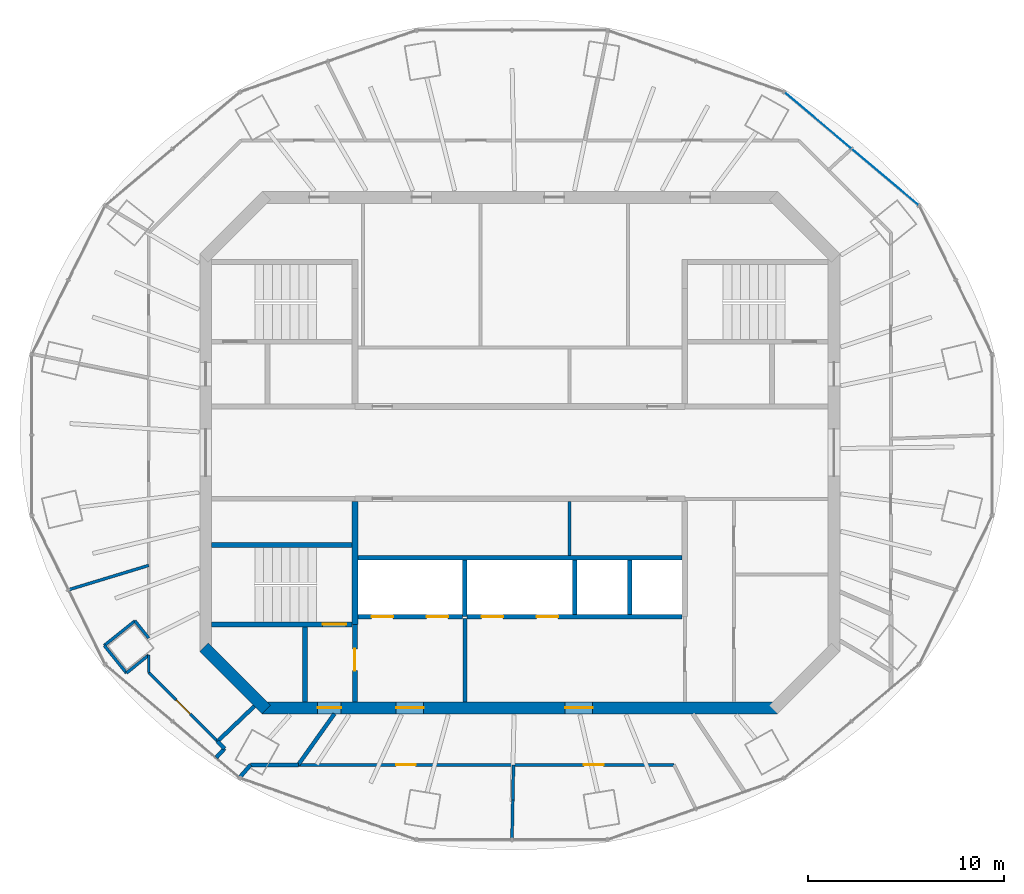
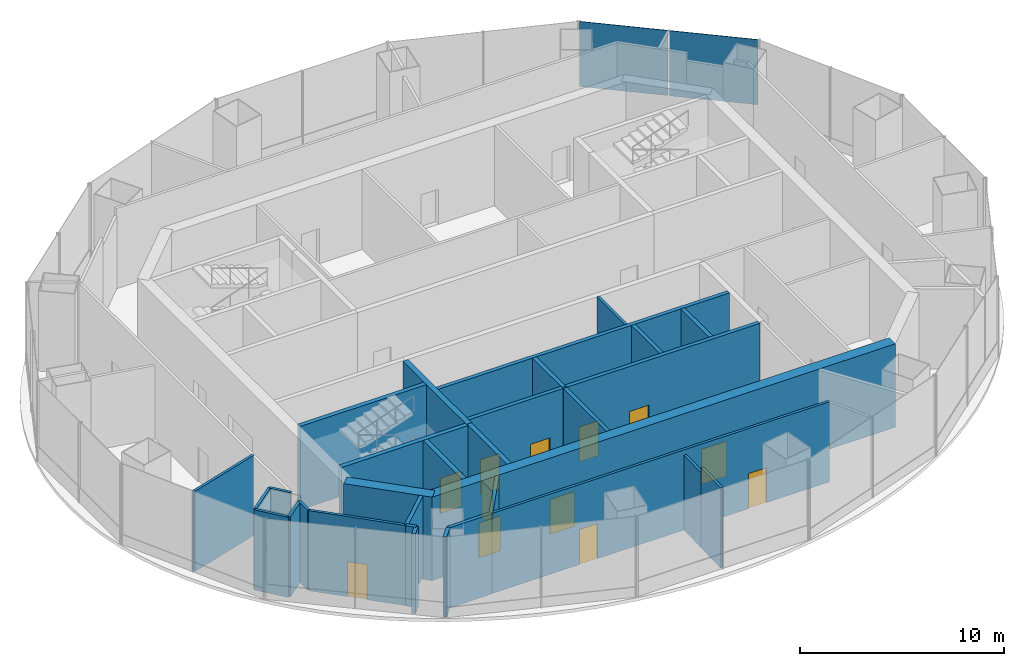
# One storey, part 8 of 12: 31 walls, 12 doors, 2 plates, 12 openings, 1 element without a shape of its own.
"""IFC4 building model written with IfcOpenShell, lengths in metres."""

from ifc_helpers import new_model, si_unit, direction, frame, frame_2d, origin, origin_2d, place, context, subcontext, project, spatial, rectangle, extrude, material, layer, layer_set, type_object, element, fill, aggregate, save


model = new_model("IFC4")

# Units and contexts
model_context = context("Model", 3, precision=1e-05, world=origin(), true_north=direction((0.0, 1.0)))
body_context = subcontext(model_context, "Body", "Model", "MODEL_VIEW")
ifc_project = project(units=[si_unit("LENGTHUNIT", "METRE"), si_unit("AREAUNIT", "SQUARE_METRE"), si_unit("VOLUMEUNIT", "CUBIC_METRE"), si_unit("PLANEANGLEUNIT", "RADIAN"), si_unit("MASSUNIT", "GRAM", prefix="KILO")], contexts=[model_context])

# Site, building, storey
site_placement = place(None, origin())
site = spatial("IfcSite", under=ifc_project, at=site_placement, CompositionType="ELEMENT")
building_placement = place(site_placement, origin())
building = spatial("IfcBuilding", under=site, at=building_placement, Name="Marenthal Gate Tower", CompositionType="ELEMENT")
storey_placement = place(building_placement, frame((0.0, 0.0, 413.550048828125)))
storey = spatial("IfcBuildingStorey", under=building, at=storey_placement, Name="L93", CompositionType="ELEMENT", Elevation=413.550048828125)

# Curtain wall, plates
ifc_material_1 = material(Name="Aluminium and glass", Category="aluminium")
curtain_wall_type = type_object("IfcCurtainWallType", Name="Curtain wall typical high", PredefinedType="NOTDEFINED", material=ifc_material_1)
curtain_wall_placement = place(storey_placement, origin())
curtain_wall = element("IfcCurtainWall", 1, at=curtain_wall_placement, inside=storey, type_object=curtain_wall_type, Name="Curtain wall L93 bay 2", PredefinedType="NOTDEFINED")
ifc_material_2 = material(Name="Glass, laminated insulating unit", Category="glass")
ifc_layer_1 = layer(ifc_material_2, 0.031982421875)
ifc_layer_set_1 = layer_set([ifc_layer_1], Name="Glass panel 32 typical high")
plate_type = type_object("IfcPlateType", Name="Glass panel 32 typical high", PredefinedType="CURTAIN_PANEL", material=ifc_layer_set_1)
plate_1_placement = place(storey_placement, frame((18.603515625, 14.034423828125, 0.89990234375), z_axis=(0.0, 0.0, 1.0), x_axis=(-0.764693267919, 0.644394449075, 0.0)))
plate_1 = element("IfcPlate", 2, at=plate_1_placement, type_object=plate_type, Name="Glass panel L93 bay 2.1", PredefinedType="CURTAIN_PANEL", context=body_context, shape_type="SweptSolid", body=[
    extrude(rectangle(XDim=4.40869140625, YDim=0.031982421875, at=origin_2d()), origin(), (0.0, 0.0, 1.0), 3.89990234375),
])
plate_2_placement = place(storey_placement, frame((15.186279296875, 16.9140625, 0.89990234375), z_axis=(0.0, 0.0, 1.0), x_axis=(-0.764693267919, 0.644394449075, 0.0)))
plate_2 = element("IfcPlate", 3, at=plate_2_placement, type_object=plate_type, Name="Glass panel L93 bay 2.2", PredefinedType="CURTAIN_PANEL", context=body_context, shape_type="SweptSolid", body=[
    extrude(rectangle(XDim=4.40869140625, YDim=0.031982421875, at=origin_2d()), origin(), (0.0, 0.0, 1.0), 3.89990234375),
])
aggregate(curtain_wall, [plate_1, plate_2])

# Wall
ifc_material_3 = material(Name="Concrete 60 MPa", Category="concrete")
ifc_layer_2 = layer(ifc_material_3, 0.60009765625)
ifc_layer_set_2 = layer_set([ifc_layer_2], Name="Core shear wall 600")
wall_type_1 = type_object("IfcWallType", Name="Core shear wall 600", PredefinedType="SHEAR", material=ifc_layer_set_2)
wall_1_placement = place(storey_placement, frame((-16.087890625, -9.912109375, -0.199951171875), z_axis=(0.0, 0.0, 1.0), x_axis=(0.707106781187, -0.707106781187, 0.0)))
element("IfcWall", 4, at=wall_1_placement, inside=storey, type_object=wall_type_1, Name="Core wall 07", PredefinedType="SHEAR", context=body_context, shape_type="SweptSolid", body=[
    extrude(rectangle(XDim=4.4912109375, YDim=0.60009765625, at=frame_2d((2.24560546875, 0.0))), origin(), (0.0, 0.0, 1.0), 5.0),
])

# Wall, openings, doors
wall_2_placement = place(storey_placement, frame((-13.124267578125, -13.0, -0.199951171875), z_axis=(0.0, 0.0, 1.0), x_axis=(1.0, 0.0, 0.0)))
wall_2 = element("IfcWall", 5, at=wall_2_placement, inside=storey, type_object=wall_type_1, Name="Core wall 08", PredefinedType="SHEAR", context=body_context, shape_type="SweptSolid", body=[
    extrude(rectangle(XDim=26.24853515625, YDim=0.60009765625, at=frame_2d((13.124267578125, 0.0))), origin(), (0.0, 0.0, 1.0), 5.0),
])
opening_1_placement = place(wall_2_placement, frame((2.82421875, 0.0, 0.199951171875)))
opening_1 = element("IfcOpeningElement", 6, at=opening_1_placement, cuts=wall_2, Name="Opening D001.06", PredefinedType="OPENING", context=body_context, shape_type="SweptSolid", body=[
    extrude(rectangle(XDim=1.199951171875, YDim=2.10009765625, at=frame_2d((0.60009765625, 1.050048828125))), frame((0.0, 0.31005859375, 0.0), z_axis=(0.0, -1.0, 0.0), x_axis=(1.0, 0.0, 0.0)), (0.0, 0.0, 1.0), 0.6201171875),
])
opening_2_placement = place(wall_2_placement, frame((6.82421875, 0.0, 0.199951171875)))
opening_2 = element("IfcOpeningElement", 7, at=opening_2_placement, cuts=wall_2, Name="Opening D004.01", PredefinedType="OPENING", context=body_context, shape_type="SweptSolid", body=[
    extrude(rectangle(XDim=1.39990234375, YDim=2.10009765625, at=frame_2d((0.699951171875, 1.050048828125))), frame((0.0, 0.31005859375, 0.0), z_axis=(0.0, -1.0, 0.0), x_axis=(1.0, 0.0, 0.0)), (0.0, 0.0, 1.0), 0.6201171875),
])
opening_3_placement = place(wall_2_placement, frame((15.42431640625, 0.0, 0.199951171875)))
opening_3 = element("IfcOpeningElement", 8, at=opening_3_placement, cuts=wall_2, Name="Opening D004.02", PredefinedType="OPENING", context=body_context, shape_type="SweptSolid", body=[
    extrude(rectangle(XDim=1.39990234375, YDim=2.10009765625, at=frame_2d((0.699951171875, 1.050048828125))), frame((0.0, 0.31005859375, 0.0), z_axis=(0.0, -1.0, 0.0), x_axis=(1.0, 0.0, 0.0)), (0.0, 0.0, 1.0), 0.6201171875),
])
ifc_material_4 = material(Name="Steel fire door", Category="steel")
door_type_1 = type_object("IfcDoorType", Name="Fire door FD 45 1400 x 2100", OperationType="NOTDEFINED", PredefinedType="DOOR", material=ifc_material_4)
door_1_placement = place(opening_2_placement, origin())
door_1 = element("IfcDoor", 9, at=door_1_placement, inside=storey, type_object=door_type_1, Name="Door D004.01", OperationType="SINGLE_SWING_RIGHT", OverallHeight=2.10009765625, OverallWidth=1.39990234375, PredefinedType="DOOR", context=body_context, shape_type="SweptSolid", body=[
    extrude(rectangle(XDim=1.39990234375, YDim=2.10009765625, at=frame_2d((0.699951171875, 1.050048828125))), frame((0.0, 0.02490234375, 0.0), z_axis=(0.0, -1.0, 0.0), x_axis=(1.0, 0.0, 0.0)), (0.0, 0.0, 1.0), 0.050048828125),
])
fill(opening_2, door_1)
door_2_placement = place(opening_3_placement, origin())
door_2 = element("IfcDoor", 10, at=door_2_placement, inside=storey, type_object=door_type_1, Name="Door D004.02", OperationType="SINGLE_SWING_RIGHT", OverallHeight=2.10009765625, OverallWidth=1.39990234375, PredefinedType="DOOR", context=body_context, shape_type="SweptSolid", body=[
    extrude(rectangle(XDim=1.39990234375, YDim=2.10009765625, at=frame_2d((0.699951171875, 1.050048828125))), frame((0.0, 0.02490234375, 0.0), z_axis=(0.0, -1.0, 0.0), x_axis=(1.0, 0.0, 0.0)), (0.0, 0.0, 1.0), 0.050048828125),
])
fill(opening_3, door_2)
ifc_material_5 = material(Name="Steel fire door", Category="steel")
door_type_2 = type_object("IfcDoorType", Name="Fire door FD 90 1200 x 2100", OperationType="NOTDEFINED", PredefinedType="DOOR", material=ifc_material_5)
door_3_placement = place(opening_1_placement, frame((1.199951171875, 0.0, 0.0), z_axis=(0.0, 0.0, 1.0), x_axis=(-1.0, 0.0, 0.0)))
door_3 = element("IfcDoor", 11, at=door_3_placement, inside=storey, type_object=door_type_2, Name="Door D001.06", OperationType="SINGLE_SWING_LEFT", OverallHeight=2.10009765625, OverallWidth=1.199951171875, PredefinedType="DOOR", context=body_context, shape_type="SweptSolid", body=[
    extrude(rectangle(XDim=1.199951171875, YDim=2.10009765625, at=frame_2d((0.60009765625, 1.050048828125))), frame((0.0, 0.02490234375, 0.0), z_axis=(0.0, -1.0, 0.0), x_axis=(1.0, 0.0, 0.0)), (0.0, 0.0, 1.0), 0.050048828125),
])
fill(opening_1, door_3)

# Walls
ifc_material_6 = material(Name="Gypsum board on steel studs", Category="steel")
ifc_layer_3 = layer(ifc_material_6, 0.199951171875)
ifc_layer_set_3 = layer_set([ifc_layer_3], Name="Fire lobby wall 200")
wall_type_2 = type_object("IfcWallType", Name="Fire lobby wall 200", PredefinedType="PARTITIONING", material=ifc_layer_set_3)
wall_3_placement = place(storey_placement, frame((-2.800048828125, -12.699951171875, 0.0), z_axis=(0.0, 0.0, 1.0), x_axis=(0.0, 1.0, 0.0)))
element("IfcWall", 12, at=wall_3_placement, inside=storey, type_object=wall_type_2, Name="Fire wall 33", PredefinedType="PARTITIONING", context=body_context, shape_type="SweptSolid", body=[
    extrude(rectangle(XDim=4.239990234375, YDim=0.199951171875, at=frame_2d((2.1201171875, 0.0))), origin(), (0.0, 0.0, 1.0), 4.800048828125),
])
ifc_material_7 = material(Name="Concrete 50 MPa", Category="concrete")
ifc_layer_4 = layer(ifc_material_7, 0.300048828125)
ifc_layer_set_4 = layer_set([ifc_layer_4], Name="Hoistway shear wall 300")
wall_type_3 = type_object("IfcWallType", Name="Hoistway shear wall 300", PredefinedType="SHEAR", material=ifc_layer_set_4)
wall_4_placement = place(storey_placement, frame((-8.39990234375, -8.75, -0.199951171875), z_axis=(0.0, 0.0, 1.0), x_axis=(0.0, 1.0, 0.0)))
element("IfcWall", 13, at=wall_4_placement, inside=storey, type_object=wall_type_3, Name="Hoistway wall 29", PredefinedType="SHEAR", context=body_context, shape_type="SweptSolid", body=[
    extrude(rectangle(XDim=6.25, YDim=0.300048828125, at=frame_2d((3.125, 0.0))), origin(), (0.0, 0.0, 1.0), 5.0),
])

# Wall, openings, doors
ifc_material_8 = material(Name="Concrete 40 MPa", Category="concrete")
ifc_layer_5 = layer(ifc_material_8, 0.219970703125)
ifc_layer_set_5 = layer_set([ifc_layer_5], Name="Hoistway wall 220")
wall_type_4 = type_object("IfcWallType", Name="Hoistway wall 220", PredefinedType="STANDARD", material=ifc_layer_set_5)
wall_5_placement = place(storey_placement, frame((-8.25, -8.35009765625, 0.0), z_axis=(0.0, 0.0, 1.0), x_axis=(1.0, 0.0, 0.0)))
wall_5 = element("IfcWall", 14, at=wall_5_placement, inside=storey, type_object=wall_type_4, Name="Hoistway wall 10", PredefinedType="STANDARD", context=body_context, shape_type="SweptSolid", body=[
    extrude(rectangle(XDim=5.340087890625, YDim=0.219970703125, at=frame_2d((2.669921875, 0.0))), origin(), (0.0, 0.0, 1.0), 4.800048828125),
])
opening_4_placement = place(wall_5_placement, frame((0.699951171875, 0.0, 0.0)))
opening_4 = element("IfcOpeningElement", 15, at=opening_4_placement, cuts=wall_5, Name="Opening LD-LF1", PredefinedType="OPENING", context=body_context, shape_type="SweptSolid", body=[
    extrude(rectangle(XDim=1.10009765625, YDim=2.10009765625, at=frame_2d((0.550048828125, 1.050048828125))), frame((0.0, 0.1201171875, 0.0), z_axis=(0.0, -1.0, 0.0), x_axis=(1.0, 0.0, 0.0)), (0.0, 0.0, 1.0), 0.239990234375),
])
opening_5_placement = place(wall_5_placement, frame((3.5, 0.0, 0.0)))
opening_5 = element("IfcOpeningElement", 16, at=opening_5_placement, cuts=wall_5, Name="Opening LD-LF2", PredefinedType="OPENING", context=body_context, shape_type="SweptSolid", body=[
    extrude(rectangle(XDim=1.10009765625, YDim=2.10009765625, at=frame_2d((0.550048828125, 1.050048828125))), frame((0.0, 0.1201171875, 0.0), z_axis=(0.0, -1.0, 0.0), x_axis=(1.0, 0.0, 0.0)), (0.0, 0.0, 1.0), 0.239990234375),
])
ifc_material_9 = material(Name="Stainless steel sliding door", Category="steel")
door_type_3 = type_object("IfcDoorType", Name="Lift landing door FD 90 1100 x 2100", OperationType="DOUBLE_DOOR_SLIDING", PredefinedType="DOOR", material=ifc_material_9)
door_4_placement = place(opening_4_placement, origin())
door_4 = element("IfcDoor", 17, at=door_4_placement, inside=storey, type_object=door_type_3, Name="Lift landing door LF1", OperationType="DOUBLE_DOOR_SLIDING", OverallHeight=2.10009765625, OverallWidth=1.10009765625, PredefinedType="DOOR", context=body_context, shape_type="SweptSolid", body=[
    extrude(rectangle(XDim=1.10009765625, YDim=2.10009765625, at=frame_2d((0.550048828125, 1.050048828125))), frame((0.0, 0.02490234375, 0.0), z_axis=(0.0, -1.0, 0.0), x_axis=(1.0, 0.0, 0.0)), (0.0, 0.0, 1.0), 0.050048828125),
])
fill(opening_4, door_4)
door_5_placement = place(opening_5_placement, origin())
door_5 = element("IfcDoor", 18, at=door_5_placement, inside=storey, type_object=door_type_3, Name="Lift landing door LF2", OperationType="DOUBLE_DOOR_SLIDING", OverallHeight=2.10009765625, OverallWidth=1.10009765625, PredefinedType="DOOR", context=body_context, shape_type="SweptSolid", body=[
    extrude(rectangle(XDim=1.10009765625, YDim=2.10009765625, at=frame_2d((0.550048828125, 1.050048828125))), frame((0.0, 0.02490234375, 0.0), z_axis=(0.0, -1.0, 0.0), x_axis=(1.0, 0.0, 0.0)), (0.0, 0.0, 1.0), 0.050048828125),
])
fill(opening_5, door_5)

wall_6_placement = place(storey_placement, frame((-2.68994140625, -8.35009765625, 0.0), z_axis=(0.0, 0.0, 1.0), x_axis=(1.0, 0.0, 0.0)))
wall_6 = element("IfcWall", 19, at=wall_6_placement, inside=storey, type_object=wall_type_4, Name="Hoistway wall 11", PredefinedType="STANDARD", context=body_context, shape_type="SweptSolid", body=[
    extrude(rectangle(XDim=10.93994140625, YDim=0.219970703125, at=frame_2d((5.469970703125, 0.0))), origin(), (0.0, 0.0, 1.0), 4.800048828125),
])
opening_6_placement = place(wall_6_placement, frame((0.739990234375, 0.0, 0.0)))
opening_6 = element("IfcOpeningElement", 20, at=opening_6_placement, cuts=wall_6, Name="Opening LD-SV1", PredefinedType="OPENING", context=body_context, shape_type="SweptSolid", body=[
    extrude(rectangle(XDim=1.10009765625, YDim=2.10009765625, at=frame_2d((0.550048828125, 1.050048828125))), frame((0.0, 0.1201171875, 0.0), z_axis=(0.0, -1.0, 0.0), x_axis=(1.0, 0.0, 0.0)), (0.0, 0.0, 1.0), 0.239990234375),
])
opening_7_placement = place(wall_6_placement, frame((3.5400390625, 0.0, 0.0)))
opening_7 = element("IfcOpeningElement", 21, at=opening_7_placement, cuts=wall_6, Name="Opening LD-SV2", PredefinedType="OPENING", context=body_context, shape_type="SweptSolid", body=[
    extrude(rectangle(XDim=1.10009765625, YDim=2.10009765625, at=frame_2d((0.550048828125, 1.050048828125))), frame((0.0, 0.1201171875, 0.0), z_axis=(0.0, -1.0, 0.0), x_axis=(1.0, 0.0, 0.0)), (0.0, 0.0, 1.0), 0.239990234375),
])
door_6_placement = place(opening_6_placement, origin())
door_6 = element("IfcDoor", 22, at=door_6_placement, inside=storey, type_object=door_type_3, Name="Lift landing door SV1", OperationType="DOUBLE_DOOR_SLIDING", OverallHeight=2.10009765625, OverallWidth=1.10009765625, PredefinedType="DOOR", context=body_context, shape_type="SweptSolid", body=[
    extrude(rectangle(XDim=1.10009765625, YDim=2.10009765625, at=frame_2d((0.550048828125, 1.050048828125))), frame((0.0, 0.02490234375, 0.0), z_axis=(0.0, -1.0, 0.0), x_axis=(1.0, 0.0, 0.0)), (0.0, 0.0, 1.0), 0.050048828125),
])
fill(opening_6, door_6)
door_7_placement = place(opening_7_placement, origin())
door_7 = element("IfcDoor", 23, at=door_7_placement, inside=storey, type_object=door_type_3, Name="Lift landing door SV2", OperationType="DOUBLE_DOOR_SLIDING", OverallHeight=2.10009765625, OverallWidth=1.10009765625, PredefinedType="DOOR", context=body_context, shape_type="SweptSolid", body=[
    extrude(rectangle(XDim=1.10009765625, YDim=2.10009765625, at=frame_2d((0.550048828125, 1.050048828125))), frame((0.0, 0.02490234375, 0.0), z_axis=(0.0, -1.0, 0.0), x_axis=(1.0, 0.0, 0.0)), (0.0, 0.0, 1.0), 0.050048828125),
])
fill(opening_7, door_7)

# Walls
wall_7_placement = place(storey_placement, frame((-8.25, -5.35009765625, 0.0), z_axis=(0.0, 0.0, 1.0), x_axis=(1.0, 0.0, 0.0)))
element("IfcWall", 24, at=wall_7_placement, inside=storey, type_object=wall_type_4, Name="Hoistway wall 13", PredefinedType="STANDARD", context=body_context, shape_type="SweptSolid", body=[
    extrude(rectangle(XDim=16.5, YDim=0.219970703125, at=frame_2d((8.25, 0.0))), origin(), (0.0, 0.0, 1.0), 4.800048828125),
])
wall_8_placement = place(storey_placement, frame((-2.800048828125, -8.35009765625, 0.0), z_axis=(0.0, 0.0, 1.0), x_axis=(0.0, 1.0, 0.0)))
element("IfcWall", 25, at=wall_8_placement, inside=storey, type_object=wall_type_4, Name="Hoistway wall 34", PredefinedType="STANDARD", context=body_context, shape_type="SweptSolid", body=[
    extrude(rectangle(XDim=2.89013671875, YDim=0.219970703125, at=frame_2d((1.445068359375, 0.0))), origin(), (0.0, 0.0, 1.0), 4.800048828125),
])
for number, where, z_axis, x_axis, name in (
    (26, (2.800048828125, -8.239990234375, 0.0), (0.0, 0.0, 1.0), (0.0, 1.0, 0.0), "Hoistway wall 38"),
    (27, (5.60009765625, -8.239990234375, 0.0), (0.0, 0.0, 1.0), (0.0, 1.0, 0.0), "Hoistway wall 40"),
):
    element("IfcWall", number, at=place(storey_placement, frame(where, z_axis=z_axis, x_axis=x_axis)), inside=storey, type_object=wall_type_4, Name=name, PredefinedType="STANDARD", context=body_context, shape_type="SweptSolid", body=[
        extrude(rectangle(XDim=2.780029296875, YDim=0.219970703125, at=frame_2d((1.39013671875, 0.0))), origin(), (0.0, 0.0, 1.0), 4.800048828125),
    ])
ifc_material_10 = material(Name="Gypsum board on steel studs", Category="steel")
ifc_layer_6 = layer(ifc_material_10, 0.14990234375)
ifc_layer_set_6 = layer_set([ifc_layer_6], Name="Partition 150")
wall_type_5 = type_object("IfcWallType", Name="Partition 150", PredefinedType="PARTITIONING", material=ifc_layer_set_6)
wall_9_placement = place(storey_placement, frame((2.52001953125, -5.239990234375, 0.0), z_axis=(0.0, 0.0, 1.0), x_axis=(0.0, 1.0, 0.0)))
element("IfcWall", 28, at=wall_9_placement, inside=storey, type_object=wall_type_5, Name="Partition wall 36", PredefinedType="PARTITIONING", context=body_context, shape_type="SweptSolid", body=[
    extrude(rectangle(XDim=2.739990234375, YDim=0.14990234375, at=frame_2d((1.3701171875, 0.0))), origin(), (0.0, 0.0, 1.0), 4.800048828125),
])

# Wall, openings, doors
wall_10_placement = place(storey_placement, frame((-11.2880859375, -15.89990234375, 0.0), z_axis=(0.0, 0.0, 1.0), x_axis=(1.0, 0.0, 0.0)))
wall_10 = element("IfcWall", 29, at=wall_10_placement, inside=storey, type_object=wall_type_5, Name="Partition wall 47", PredefinedType="PARTITIONING", context=body_context, shape_type="SweptSolid", body=[
    extrude(rectangle(XDim=19.140625, YDim=0.14990234375, at=frame_2d((9.5703125, 0.0))), origin(), (0.0, 0.0, 1.0), 4.800048828125),
])
opening_8_placement = place(wall_10_placement, frame((4.980224609375, 0.0, 0.0)))
opening_8 = element("IfcOpeningElement", 30, at=opening_8_placement, cuts=wall_10, Name="Opening D005.18", PredefinedType="OPENING", context=body_context, shape_type="SweptSolid", body=[
    extrude(rectangle(XDim=1.0, YDim=2.10009765625, at=frame_2d((0.5, 1.050048828125))), frame((0.0, 0.0849609375, 0.0), z_axis=(0.0, -1.0, 0.0), x_axis=(1.0, 0.0, 0.0)), (0.0, 0.0, 1.0), 0.169921875),
])
opening_9_placement = place(wall_10_placement, frame((14.552978515625, 0.0, 0.0)))
opening_9 = element("IfcOpeningElement", 31, at=opening_9_placement, cuts=wall_10, Name="Opening D005.19", PredefinedType="OPENING", context=body_context, shape_type="SweptSolid", body=[
    extrude(rectangle(XDim=1.0, YDim=2.10009765625, at=frame_2d((0.5, 1.050048828125))), frame((0.0, 0.0849609375, 0.0), z_axis=(0.0, -1.0, 0.0), x_axis=(1.0, 0.0, 0.0)), (0.0, 0.0, 1.0), 0.169921875),
])
ifc_material_11 = material(Name="Steel fire door", Category="steel")
door_type_4 = type_object("IfcDoorType", Name="Fire door FD 45 1000 x 2100", OperationType="NOTDEFINED", PredefinedType="DOOR", material=ifc_material_11)
door_8_placement = place(opening_8_placement, frame((1.0, 0.0, 0.0), z_axis=(0.0, 0.0, 1.0), x_axis=(-1.0, 0.0, 0.0)))
door_8 = element("IfcDoor", 32, at=door_8_placement, inside=storey, type_object=door_type_4, Name="Door D005.18", OperationType="SINGLE_SWING_LEFT", OverallHeight=2.10009765625, OverallWidth=1.0, PredefinedType="DOOR", context=body_context, shape_type="SweptSolid", body=[
    extrude(rectangle(XDim=1.0, YDim=2.10009765625, at=frame_2d((0.5, 1.050048828125))), frame((0.0, 0.02490234375, 0.0), z_axis=(0.0, -1.0, 0.0), x_axis=(1.0, 0.0, 0.0)), (0.0, 0.0, 1.0), 0.050048828125),
])
fill(opening_8, door_8)
door_9_placement = place(opening_9_placement, frame((1.0, 0.0, 0.0), z_axis=(0.0, 0.0, 1.0), x_axis=(-1.0, 0.0, 0.0)))
door_9 = element("IfcDoor", 33, at=door_9_placement, inside=storey, type_object=door_type_4, Name="Door D005.19", OperationType="SINGLE_SWING_LEFT", OverallHeight=2.10009765625, OverallWidth=1.0, PredefinedType="DOOR", context=body_context, shape_type="SweptSolid", body=[
    extrude(rectangle(XDim=1.0, YDim=2.10009765625, at=frame_2d((0.5, 1.050048828125))), frame((0.0, 0.02490234375, 0.0), z_axis=(0.0, -1.0, 0.0), x_axis=(1.0, 0.0, 0.0)), (0.0, 0.0, 1.0), 0.050048828125),
])
fill(opening_9, door_9)

# Walls
wall_11_placement = place(storey_placement, frame((-22.9775390625, -6.981689453125, 0.0), z_axis=(0.0, 0.0, 1.0), x_axis=(0.956804908842, 0.290730745562, 0.0)))
element("IfcWall", 34, at=wall_11_placement, inside=storey, type_object=wall_type_5, Name="Partition wall 50", PredefinedType="PARTITIONING", context=body_context, shape_type="SweptSolid", body=[
    extrude(rectangle(XDim=4.26171875, YDim=0.14990234375, at=frame_2d((2.130859375, 0.0))), origin(), (0.0, 0.0, 1.0), 4.800048828125),
])
wall_12_placement = place(storey_placement, frame((-20.03759765625, -11.225341796875, 0.0), z_axis=(0.0, 0.0, 1.0), x_axis=(0.779724809941, 0.626122368841, 0.0)))
element("IfcWall", 35, at=wall_12_placement, inside=storey, type_object=wall_type_5, Name="Partition wall 51", PredefinedType="PARTITIONING", context=body_context, shape_type="SweptSolid", body=[
    extrude(rectangle(XDim=1.458984375, YDim=0.14990234375, at=frame_2d((0.7294921875, 0.0))), origin(), (0.0, 0.0, 1.0), 4.800048828125),
])
wall_13_placement = place(storey_placement, frame((-21.164794921875, -9.822021484375, 0.0), z_axis=(0.0, 0.0, 1.0), x_axis=(0.779700462406, 0.626152688187, 0.0)))
element("IfcWall", 36, at=wall_13_placement, inside=storey, type_object=wall_type_5, Name="Partition wall 52", PredefinedType="PARTITIONING", context=body_context, shape_type="SweptSolid", body=[
    extrude(rectangle(XDim=2.000244140625, YDim=0.14990234375, at=frame_2d((1.0, 0.0))), origin(), (0.0, 0.0, 1.0), 4.800048828125),
])
wall_14_placement = place(storey_placement, frame((-0.399658203125, -19.691162109375, 0.0), z_axis=(0.0, 0.0, 1.0), x_axis=(0.020323991195, 0.999793446359, 0.0)))
element("IfcWall", 37, at=wall_14_placement, inside=storey, type_object=wall_type_5, Name="Partition wall 56", PredefinedType="PARTITIONING", context=body_context, shape_type="SweptSolid", body=[
    extrude(rectangle(XDim=1.994140625, YDim=0.14990234375, at=frame_2d((0.9970703125, 0.0))), origin(), (0.0, 0.0, 1.0), 4.800048828125),
])
wall_15_placement = place(storey_placement, frame((-0.359130859375, -17.697509765625, 0.0), z_axis=(0.0, 0.0, 1.0), x_axis=(0.020232174519, 0.999795308608, 0.0)))
element("IfcWall", 38, at=wall_15_placement, inside=storey, type_object=wall_type_5, Name="Partition wall 81", PredefinedType="PARTITIONING", context=body_context, shape_type="SweptSolid", body=[
    extrude(rectangle(XDim=1.798095703125, YDim=0.14990234375, at=frame_2d((0.89892578125, 0.0))), origin(), (0.0, 0.0, 1.0), 4.489990234375),
])
wall_16_placement = place(storey_placement, frame((-18.89990234375, -11.201416015625, 0.0), z_axis=(0.0, 0.0, 1.0), x_axis=(0.0, 1.0, 0.0)))
element("IfcWall", 39, at=wall_16_placement, inside=storey, type_object=wall_type_5, Name="Partition wall 58", PredefinedType="PARTITIONING", context=body_context, shape_type="SweptSolid", body=[
    extrude(rectangle(XDim=0.8896484375, YDim=0.14990234375, at=frame_2d((0.44482421875, 0.0))), origin(), (0.0, 0.0, 1.0), 4.800048828125),
])
wall_17_placement = place(storey_placement, frame((-18.89990234375, -9.447998046875, 0.0), z_axis=(0.0, 0.0, 1.0), x_axis=(-0.626094772893, 0.779746968802, 0.0)))
element("IfcWall", 40, at=wall_17_placement, inside=storey, type_object=wall_type_5, Name="Partition wall 62", PredefinedType="PARTITIONING", context=body_context, shape_type="SweptSolid", body=[
    extrude(rectangle(XDim=1.12646484375, YDim=0.14990234375, at=frame_2d((0.563232421875, 0.0))), origin(), (0.0, 0.0, 1.0), 4.800048828125),
])
wall_18_placement = place(storey_placement, frame((-20.03759765625, -11.225341796875, 0.0), z_axis=(0.0, 0.0, 1.0), x_axis=(-0.626232147902, 0.779636644171, 0.0)))
element("IfcWall", 41, at=wall_18_placement, inside=storey, type_object=wall_type_5, Name="Partition wall 63", PredefinedType="PARTITIONING", context=body_context, shape_type="SweptSolid", body=[
    extrude(rectangle(XDim=1.800048828125, YDim=0.14990234375, at=frame_2d((0.89990234375, 0.0))), origin(), (0.0, 0.0, 1.0), 4.800048828125),
])

# Wall, opening, door
wall_19_placement = place(storey_placement, frame((-15.397216796875, -14.7041015625, 0.0), z_axis=(0.0, 0.0, 1.0), x_axis=(-0.707082138597, 0.707131422917, 0.0)))
wall_19 = element("IfcWall", 42, at=wall_19_placement, inside=storey, type_object=wall_type_5, Name="Partition wall 65", PredefinedType="PARTITIONING", context=body_context, shape_type="SweptSolid", body=[
    extrude(rectangle(XDim=4.95361328125, YDim=0.14990234375, at=frame_2d((2.476806640625, 0.0))), origin(), (0.0, 0.0, 1.0), 4.800048828125),
])
opening_10_placement = place(wall_19_placement, frame((1.974365234375, 0.0, 0.0)))
opening_10 = element("IfcOpeningElement", 43, at=opening_10_placement, cuts=wall_19, Name="Opening D005.17", PredefinedType="OPENING", context=body_context, shape_type="SweptSolid", body=[
    extrude(rectangle(XDim=1.0, YDim=2.10009765625, at=frame_2d((0.5, 1.050048828125))), frame((0.0, 0.0849609375, 0.0), z_axis=(0.0, -1.0, 0.0), x_axis=(1.0, 0.0, 0.0)), (0.0, 0.0, 1.0), 0.169921875),
])
door_10_placement = place(opening_10_placement, origin())
door_10 = element("IfcDoor", 44, at=door_10_placement, inside=storey, type_object=door_type_4, Name="Door D005.17", OperationType="SINGLE_SWING_RIGHT", OverallHeight=2.10009765625, OverallWidth=1.0, PredefinedType="DOOR", context=body_context, shape_type="SweptSolid", body=[
    extrude(rectangle(XDim=1.0, YDim=2.10009765625, at=frame_2d((0.5, 1.050048828125))), frame((0.0, 0.02490234375, 0.0), z_axis=(0.0, -1.0, 0.0), x_axis=(1.0, 0.0, 0.0)), (0.0, 0.0, 1.0), 0.050048828125),
])
fill(opening_10, door_10)

# Walls
ifc_material_12 = material(Name="Gypsum board on steel studs", Category="steel")
ifc_layer_7 = layer(ifc_material_12, 0.199951171875)
ifc_layer_set_7 = layer_set([ifc_layer_7], Name="Partition 200")
wall_type_6 = type_object("IfcWallType", Name="Partition 200", PredefinedType="PARTITIONING", material=ifc_layer_set_7)
wall_20_placement = place(storey_placement, frame((-13.713623046875, -15.89990234375, 0.0), z_axis=(0.0, 0.0, 1.0), x_axis=(1.0, 0.0, 0.0)))
element("IfcWall", 45, at=wall_20_placement, inside=storey, type_object=wall_type_6, Name="Partition wall 69", PredefinedType="PARTITIONING", context=body_context, shape_type="SweptSolid", body=[
    extrude(rectangle(XDim=2.429443359375, YDim=0.199951171875, at=frame_2d((1.21484375, 0.0))), origin(), (0.0, 0.0, 1.0), 4.800048828125),
])
wall_21_placement = place(storey_placement, frame((-15.397216796875, -14.7041015625, 0.0), z_axis=(0.0, 0.0, 1.0), x_axis=(0.723206343498, 0.690632018317, 0.0)))
element("IfcWall", 46, at=wall_21_placement, inside=storey, type_object=wall_type_6, Name="Partition wall 70", PredefinedType="PARTITIONING", context=body_context, shape_type="SweptSolid", body=[
    extrude(rectangle(XDim=2.600830078125, YDim=0.199951171875, at=frame_2d((1.30029296875, 0.0))), origin(), (0.0, 0.0, 1.0), 4.800048828125),
])
wall_22_placement = place(storey_placement, frame((-15.461669921875, -15.530029296875, 0.0), z_axis=(0.0, 0.0, 1.0), x_axis=(0.676443601068, 0.736494436214, 0.0)))
element("IfcWall", 47, at=wall_22_placement, inside=storey, type_object=wall_type_6, Name="Partition wall 71", PredefinedType="PARTITIONING", context=body_context, shape_type="SweptSolid", body=[
    extrude(rectangle(XDim=0.630126953125, YDim=0.199951171875, at=frame_2d((0.31494140625, 0.0))), origin(), (0.0, 0.0, 1.0), 4.800048828125),
])
wall_23_placement = place(storey_placement, frame((-14.2646484375, -16.538818359375, 0.0), z_axis=(0.0, 0.0, 1.0), x_axis=(0.653099884045, 0.757271775164, 0.0)))
element("IfcWall", 48, at=wall_23_placement, inside=storey, type_object=wall_type_6, Name="Partition wall 72", PredefinedType="PARTITIONING", context=body_context, shape_type="SweptSolid", body=[
    extrude(rectangle(XDim=0.84375, YDim=0.199951171875, at=frame_2d((0.421875, 0.0))), origin(), (0.0, 0.0, 1.0), 4.800048828125),
])
wall_24_placement = place(storey_placement, frame((-11.2880859375, -15.89990234375, 0.0), z_axis=(0.0, 0.0, 1.0), x_axis=(0.578932609367, 0.815375394412, 0.0)))
element("IfcWall", 49, at=wall_24_placement, inside=storey, type_object=wall_type_6, Name="Partition wall 73", PredefinedType="PARTITIONING", context=body_context, shape_type="SweptSolid", body=[
    extrude(rectangle(XDim=3.1884765625, YDim=0.199951171875, at=frame_2d((1.59423828125, 0.0))), origin(), (0.0, 0.0, 1.0), 4.800048828125),
])
wall_25_placement = place(storey_placement, frame((-15.035400390625, -15.06591796875, 0.0), z_axis=(0.0, 0.0, 1.0), x_axis=(-0.707106781187, 0.707106781187, 0.0)))
element("IfcWall", 50, at=wall_25_placement, inside=storey, type_object=wall_type_6, Name="Partition wall 76", PredefinedType="PARTITIONING", context=body_context, shape_type="SweptSolid", body=[
    extrude(rectangle(XDim=0.514892578125, YDim=0.199951171875, at=frame_2d((0.25732421875, 0.0))), origin(), (0.0, 0.0, 1.0), 4.800048828125),
])
ifc_material_13 = material(Name="Concrete 40 MPa", Category="concrete")
ifc_layer_8 = layer(ifc_material_13, 0.25)
ifc_layer_set_8 = layer_set([ifc_layer_8], Name="Stair enclosure wall 250")
wall_type_7 = type_object("IfcWallType", Name="Stair enclosure wall 250", PredefinedType="STANDARD", material=ifc_layer_set_8)
wall_26_placement = place(storey_placement, frame((-10.949951171875, -12.699951171875, 0.0), z_axis=(0.0, 0.0, 1.0), x_axis=(0.0, 1.0, 0.0)))
element("IfcWall", 51, at=wall_26_placement, inside=storey, type_object=wall_type_7, Name="Stair wall 27", PredefinedType="STANDARD", context=body_context, shape_type="SweptSolid", body=[
    extrude(rectangle(XDim=3.824951171875, YDim=0.25, at=frame_2d((1.91259765625, 0.0))), origin(), (0.0, 0.0, 1.0), 4.800048828125),
])

# Wall, opening, door
wall_27_placement = place(storey_placement, frame((-8.39990234375, -12.699951171875, 0.0), z_axis=(0.0, 0.0, 1.0), x_axis=(0.0, 1.0, 0.0)))
wall_27 = element("IfcWall", 52, at=wall_27_placement, inside=storey, type_object=wall_type_7, Name="Stair wall 28", PredefinedType="STANDARD", context=body_context, shape_type="SweptSolid", body=[
    extrude(rectangle(XDim=3.949951171875, YDim=0.25, at=frame_2d((1.97509765625, 0.0))), origin(), (0.0, 0.0, 1.0), 4.800048828125),
])
opening_11_placement = place(wall_27_placement, frame((1.60009765625, 0.0, 0.0)))
opening_11 = element("IfcOpeningElement", 53, at=opening_11_placement, cuts=wall_27, Name="Opening D002.01", PredefinedType="OPENING", context=body_context, shape_type="SweptSolid", body=[
    extrude(rectangle(XDim=1.10009765625, YDim=2.10009765625, at=frame_2d((0.550048828125, 1.050048828125))), frame((0.0, 0.135009765625, 0.0), z_axis=(0.0, -1.0, 0.0), x_axis=(1.0, 0.0, 0.0)), (0.0, 0.0, 1.0), 0.27001953125),
])
ifc_material_14 = material(Name="Steel fire door", Category="steel")
door_type_5 = type_object("IfcDoorType", Name="Fire door FD 90 1100 x 2100", OperationType="NOTDEFINED", PredefinedType="DOOR", material=ifc_material_14)
door_11_placement = place(opening_11_placement, origin())
door_11 = element("IfcDoor", 54, at=door_11_placement, inside=storey, type_object=door_type_5, Name="Door D002.01", OperationType="SINGLE_SWING_RIGHT", OverallHeight=2.10009765625, OverallWidth=1.10009765625, PredefinedType="DOOR", context=body_context, shape_type="SweptSolid", body=[
    extrude(rectangle(XDim=1.10009765625, YDim=2.10009765625, at=frame_2d((0.550048828125, 1.050048828125))), frame((0.0, 0.02490234375, 0.0), z_axis=(0.0, -1.0, 0.0), x_axis=(1.0, 0.0, 0.0)), (0.0, 0.0, 1.0), 0.050048828125),
])
fill(opening_11, door_11)

ifc_material_15 = material(Name="Concrete 50 MPa", Category="concrete")
ifc_layer_9 = layer(ifc_material_15, 0.25)
ifc_layer_set_9 = layer_set([ifc_layer_9], Name="Stair shear wall 250")
wall_type_8 = type_object("IfcWallType", Name="Stair shear wall 250", PredefinedType="SHEAR", material=ifc_layer_set_9)
wall_28_placement = place(storey_placement, frame((-15.699951171875, -8.75, -0.199951171875), z_axis=(0.0, 0.0, 1.0), x_axis=(1.0, 0.0, 0.0)))
wall_28 = element("IfcWall", 55, at=wall_28_placement, inside=storey, type_object=wall_type_8, Name="Stair wall 09", PredefinedType="SHEAR", context=body_context, shape_type="SweptSolid", body=[
    extrude(rectangle(XDim=7.14990234375, YDim=0.25, at=frame_2d((3.574951171875, 0.0))), origin(), (0.0, 0.0, 1.0), 5.0),
])
opening_12_placement = place(wall_28_placement, frame((5.64990234375, 0.0, 0.199951171875)))
opening_12 = element("IfcOpeningElement", 56, at=opening_12_placement, cuts=wall_28, Name="Opening D001.03", PredefinedType="OPENING", context=body_context, shape_type="SweptSolid", body=[
    extrude(rectangle(XDim=1.199951171875, YDim=2.10009765625, at=frame_2d((0.60009765625, 1.050048828125))), frame((0.0, 0.135009765625, 0.0), z_axis=(0.0, -1.0, 0.0), x_axis=(1.0, 0.0, 0.0)), (0.0, 0.0, 1.0), 0.27001953125),
])
door_12_placement = place(opening_12_placement, origin())
door_12 = element("IfcDoor", 57, at=door_12_placement, inside=storey, type_object=door_type_2, Name="Door D001.03", OperationType="SINGLE_SWING_RIGHT", OverallHeight=2.10009765625, OverallWidth=1.199951171875, PredefinedType="DOOR", context=body_context, shape_type="SweptSolid", body=[
    extrude(rectangle(XDim=1.199951171875, YDim=2.10009765625, at=frame_2d((0.60009765625, 1.050048828125))), frame((0.0, 0.02490234375, 0.0), z_axis=(0.0, -1.0, 0.0), x_axis=(1.0, 0.0, 0.0)), (0.0, 0.0, 1.0), 0.050048828125),
])
fill(opening_12, door_12)

# Wall
wall_29_placement = place(storey_placement, frame((-15.699951171875, -4.699951171875, -0.199951171875), z_axis=(0.0, 0.0, 1.0), x_axis=(1.0, 0.0, 0.0)))
element("IfcWall", 58, at=wall_29_placement, inside=storey, type_object=wall_type_8, Name="Stair wall 14", PredefinedType="SHEAR", context=body_context, shape_type="SweptSolid", body=[
    extrude(rectangle(XDim=7.14990234375, YDim=0.25, at=frame_2d((3.574951171875, 0.0))), origin(), (0.0, 0.0, 1.0), 5.0),
])

save(model, "model.ifc")
